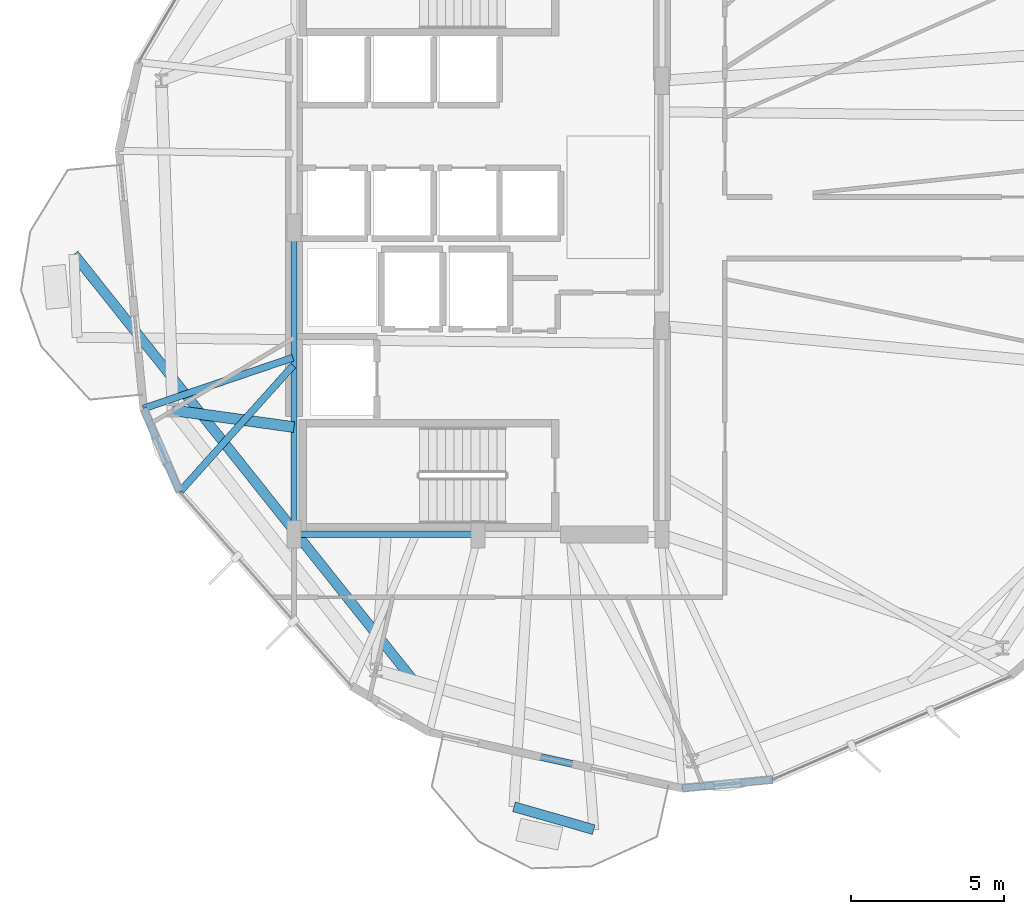
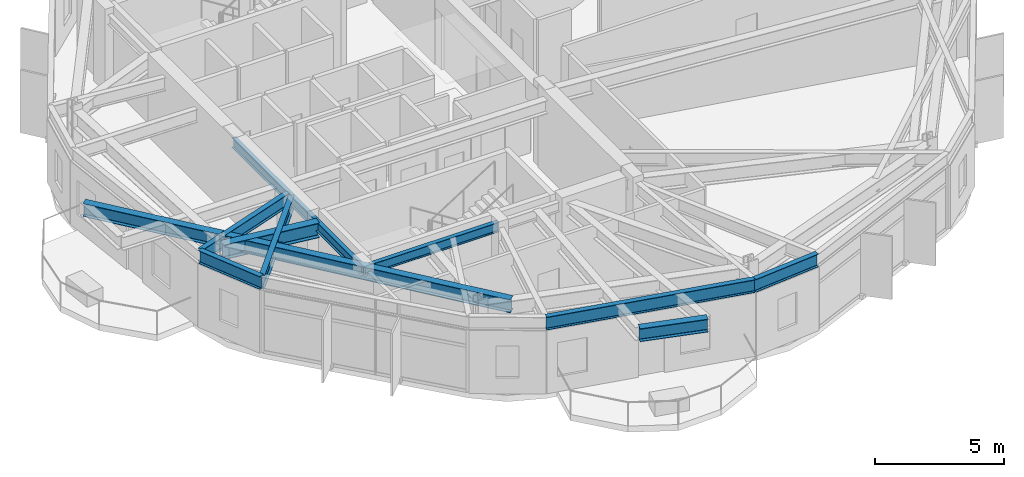
# One storey, part 4 of 23: 10 beams.
"""IFC4 building model written with IfcOpenShell, lengths in metres."""

from ifc_helpers import new_model, si_unit, direction, frame, origin, origin_2d, place, context, subcontext, project, spatial, i_section, extrude, material, material_profile, profile_set, type_object, element, save


model = new_model("IFC4")

# Units and contexts
model_context = context("Model", 3, precision=1e-05, world=origin(), true_north=direction((0.0, 1.0)))
body_context = subcontext(model_context, "Body", "Model", "MODEL_VIEW")
ifc_project = project(units=[si_unit("LENGTHUNIT", "METRE"), si_unit("AREAUNIT", "SQUARE_METRE"), si_unit("VOLUMEUNIT", "CUBIC_METRE"), si_unit("PLANEANGLEUNIT", "RADIAN"), si_unit("MASSUNIT", "GRAM", prefix="KILO")], contexts=[model_context])

# Site, building, storey
site_placement = place(None, origin())
site = spatial("IfcSite", under=ifc_project, at=site_placement, CompositionType="ELEMENT")
building_placement = place(site_placement, origin())
building = spatial("IfcBuilding", under=site, at=building_placement, Name="Soratama Intermodal Tower", CompositionType="ELEMENT")
storey_placement = place(building_placement, frame((0.0, 0.0, 118.60009765625)))
storey = spatial("IfcBuildingStorey", under=building, at=storey_placement, Name="L28", CompositionType="ELEMENT", Elevation=118.60009765625)

# Beams
ifc_material_1 = material(Name="Structural steel ASTM A992 Grade 50", Category="steel")
ifc_material_profile_1 = material_profile(ifc_material_1, i_section(OverallWidth=0.324951171875, OverallDepth=0.615966796875, WebThickness=0.013916015625, FlangeThickness=0.021484375, FilletRadius=0.013916015625, at=origin_2d()), Name="W24X117")
ifc_profile_set_1 = profile_set([ifc_material_profile_1], Name="Structural steel ASTM A992 Grade 50")
beam_type_1 = type_object("IfcBeamType", Name="BM-CANT-W24X117", PredefinedType="BEAM", material=ifc_profile_set_1)
beam_1_placement = place(storey_placement, frame((39.77294921875, 6.116943359375, 3.2919921875), z_axis=(0.961275378951, -0.27558963301, 0.0), x_axis=(0.27558963301, 0.961275378951, 0.0)))
element("IfcBeam", 1, at=beam_1_placement, inside=storey, type_object=beam_type_1, Name="BM-L28-CBHDR-3", PredefinedType="BEAM", context=body_context, shape_type="SweptSolid", body=[
    extrude(i_section(OverallWidth=0.324951171875, OverallDepth=0.615966796875, WebThickness=0.013916015625, FlangeThickness=0.021484375, FilletRadius=0.013916015625, at=origin_2d()), origin(), (0.0, 0.0, 1.0), 2.7099609375),
])
beam_2_placement = place(storey_placement, frame((36.47998046875, 10.251953125, 3.2919921875), z_axis=(-0.622896693665, 0.782304102649, 0.0), x_axis=(-0.782304102649, -0.622896693665, 0.0)))
element("IfcBeam", 2, at=beam_2_placement, inside=storey, type_object=beam_type_1, Name="BM-L28-CANT-2-1", PredefinedType="BEAM", context=body_context, shape_type="SweptSolid", body=[
    extrude(i_section(OverallWidth=0.324951171875, OverallDepth=0.615966796875, WebThickness=0.013916015625, FlangeThickness=0.021484375, FilletRadius=0.013916015625, at=origin_2d()), origin(), (0.0, 0.0, 1.0), 17.74755859375),
])
ifc_material_2 = material(Name="Structural steel ASTM A992 Grade 50", Category="steel")
ifc_material_profile_2 = material_profile(ifc_material_2, i_section(OverallWidth=0.19091796875, OverallDepth=0.4599609375, WebThickness=0.010009765625, FlangeThickness=0.01611328125, FilletRadius=0.010986328125, at=origin_2d()), Name="W18X55")
ifc_profile_set_2 = profile_set([ifc_material_profile_2], Name="Structural steel ASTM A992 Grade 50")
beam_type_2 = type_object("IfcBeamType", Name="BM-FLR-W18X55", PredefinedType="BEAM", material=ifc_profile_set_2)
beam_3_placement = place(storey_placement, frame((32.60009765625, 15.0, 3.369873046875), z_axis=(1.0, 0.0, 0.0), x_axis=(0.0, 1.0, 0.0)))
element("IfcBeam", 3, at=beam_3_placement, inside=storey, type_object=beam_type_2, Name="BM-L28-CRING-01", PredefinedType="BEAM", context=body_context, shape_type="SweptSolid", body=[
    extrude(i_section(OverallWidth=0.19091796875, OverallDepth=0.4599609375, WebThickness=0.010009765625, FlangeThickness=0.01611328125, FilletRadius=0.010986328125, at=origin_2d()), origin(), (0.0, 0.0, 1.0), 6.0),
])
beam_4_placement = place(storey_placement, frame((32.60009765625, 25.0, 3.369873046875), z_axis=(0.0, -1.0, 0.0), x_axis=(1.0, 0.0, 0.0)))
element("IfcBeam", 4, at=beam_4_placement, inside=storey, type_object=beam_type_2, Name="BM-L28-CRING-09", PredefinedType="BEAM", context=body_context, shape_type="SweptSolid", body=[
    extrude(i_section(OverallWidth=0.19091796875, OverallDepth=0.4599609375, WebThickness=0.010009765625, FlangeThickness=0.01611328125, FilletRadius=0.010986328125, at=origin_2d()), origin(), (0.0, 0.0, 1.0), 10.0),
])
ifc_material_3 = material(Name="Structural steel ASTM A992 Grade 50", Category="steel")
ifc_material_profile_3 = material_profile(ifc_material_3, i_section(OverallWidth=0.35498046875, OverallDepth=0.695068359375, WebThickness=0.015380859375, FlangeThickness=0.02490234375, FilletRadius=0.01611328125, at=origin_2d()), Name="W27X146")
ifc_profile_set_3 = profile_set([ifc_material_profile_3], Name="Structural steel ASTM A992 Grade 50")
beam_type_3 = type_object("IfcBeamType", Name="BM-RING-W27X146", PredefinedType="BEAM", material=ifc_profile_set_3)
beam_5_placement = place(storey_placement, frame((32.60009765625, 18.5, 3.25244140625), z_axis=(-0.990482077962, 0.137641756879, 0.0), x_axis=(-0.137641756879, -0.990482077962, 0.0)))
element("IfcBeam", 5, at=beam_5_placement, inside=storey, type_object=beam_type_3, Name="BM-L28-RAD-06", PredefinedType="BEAM", context=body_context, shape_type="SweptSolid", body=[
    extrude(i_section(OverallWidth=0.35498046875, OverallDepth=0.695068359375, WebThickness=0.015380859375, FlangeThickness=0.02490234375, FilletRadius=0.01611328125, at=origin_2d()), origin(), (0.0, 0.0, 1.0), 3.9892578125),
])
ifc_material_4 = material(Name="Structural steel ASTM A992 Grade 50", Category="steel")
ifc_material_profile_4 = material_profile(ifc_material_4, i_section(OverallWidth=0.22900390625, OverallDepth=0.612060546875, WebThickness=0.011962890625, FlangeThickness=0.01953125, FilletRadius=0.012939453125, at=origin_2d()), Name="W24X84")
ifc_profile_set_4 = profile_set([ifc_material_profile_4], Name="Structural steel ASTM A992 Grade 50")
beam_type_4 = type_object("IfcBeamType", Name="BM-SPN-W24X84", PredefinedType="SPANDREL", material=ifc_profile_set_4)
beam_6_placement = place(storey_placement, frame((27.69189453125, 19.10595703125, 3.2939453125), z_axis=(0.398076134221, -0.917352381238, 0.0), x_axis=(0.917352381238, 0.398076134221, 0.0)))
element("IfcBeam", 6, at=beam_6_placement, inside=storey, type_object=beam_type_4, Name="BS-L28-CRN05", PredefinedType="SPANDREL", context=body_context, shape_type="SweptSolid", body=[
    extrude(i_section(OverallWidth=0.22900390625, OverallDepth=0.612060546875, WebThickness=0.011962890625, FlangeThickness=0.01953125, FilletRadius=0.012939453125, at=origin_2d()), origin(), (0.0, 0.0, 1.0), 2.967041015625),
])
beam_7_placement = place(storey_placement, frame((37.01708984375, 8.551025390625, 3.2939453125), z_axis=(0.976139400755, -0.217144814105, 0.0), x_axis=(0.217144814105, 0.976139400755, 0.0)))
element("IfcBeam", 7, at=beam_7_placement, inside=storey, type_object=beam_type_4, Name="BS-L28-F07", PredefinedType="SPANDREL", context=body_context, shape_type="SweptSolid", body=[
    extrude(i_section(OverallWidth=0.22900390625, OverallDepth=0.612060546875, WebThickness=0.011962890625, FlangeThickness=0.01953125, FilletRadius=0.012939453125, at=origin_2d()), origin(), (0.0, 0.0, 1.0), 8.44140625),
])
beam_8_placement = place(storey_placement, frame((45.257080078125, 6.718017578125, 3.2939453125), z_axis=(0.995474370184, 0.09503040727, 0.0), x_axis=(-0.09503040727, 0.995474370184, 0.0)))
element("IfcBeam", 8, at=beam_8_placement, inside=storey, type_object=beam_type_4, Name="BS-L28-CRN07", PredefinedType="SPANDREL", context=body_context, shape_type="SweptSolid", body=[
    extrude(i_section(OverallWidth=0.22900390625, OverallDepth=0.612060546875, WebThickness=0.011962890625, FlangeThickness=0.01953125, FilletRadius=0.012939453125, at=origin_2d()), origin(), (0.0, 0.0, 1.0), 2.96728515625),
])
ifc_material_5 = material(Name="Structural steel ASTM A992 Grade 50", Category="steel")
ifc_material_profile_5 = material_profile(ifc_material_5, i_section(OverallWidth=0.22900390625, OverallDepth=0.612060546875, WebThickness=0.011962890625, FlangeThickness=0.01953125, FilletRadius=0.012939453125, at=origin_2d()), Name="W24X84")
ifc_profile_set_5 = profile_set([ifc_material_profile_5], Name="Structural steel ASTM A992 Grade 50")
beam_type_5 = type_object("IfcBeamType", Name="BM-TIE-W24X84", PredefinedType="BEAM", material=ifc_profile_set_5)
beam_9_placement = place(storey_placement, frame((32.56201171875, 20.763916015625, 3.2939453125), z_axis=(-0.946647133753, -0.322271941313, 0.0), x_axis=(0.322271941313, -0.946647133753, 0.0)))
element("IfcBeam", 9, at=beam_9_placement, inside=storey, type_object=beam_type_5, Name="BM-L28-TIE1-05", PredefinedType="BEAM", context=body_context, shape_type="SweptSolid", body=[
    extrude(i_section(OverallWidth=0.22900390625, OverallDepth=0.612060546875, WebThickness=0.011962890625, FlangeThickness=0.01953125, FilletRadius=0.012939453125, at=origin_2d()), origin(), (0.0, 0.0, 1.0), 5.14453125),
])
beam_10_placement = place(storey_placement, frame((32.572998046875, 20.510009765625, 3.2939453125), z_axis=(-0.667625016079, -0.744497708462, 0.0), x_axis=(0.744497708462, -0.667625016079, 0.0)))
element("IfcBeam", 10, at=beam_10_placement, inside=storey, type_object=beam_type_5, Name="BM-L28-TIE0-06", PredefinedType="BEAM", context=body_context, shape_type="SweptSolid", body=[
    extrude(i_section(OverallWidth=0.22900390625, OverallDepth=0.612060546875, WebThickness=0.011962890625, FlangeThickness=0.01953125, FilletRadius=0.012939453125, at=origin_2d()), origin(), (0.0, 0.0, 1.0), 5.5419921875),
])

save(model, "model.ifc")
